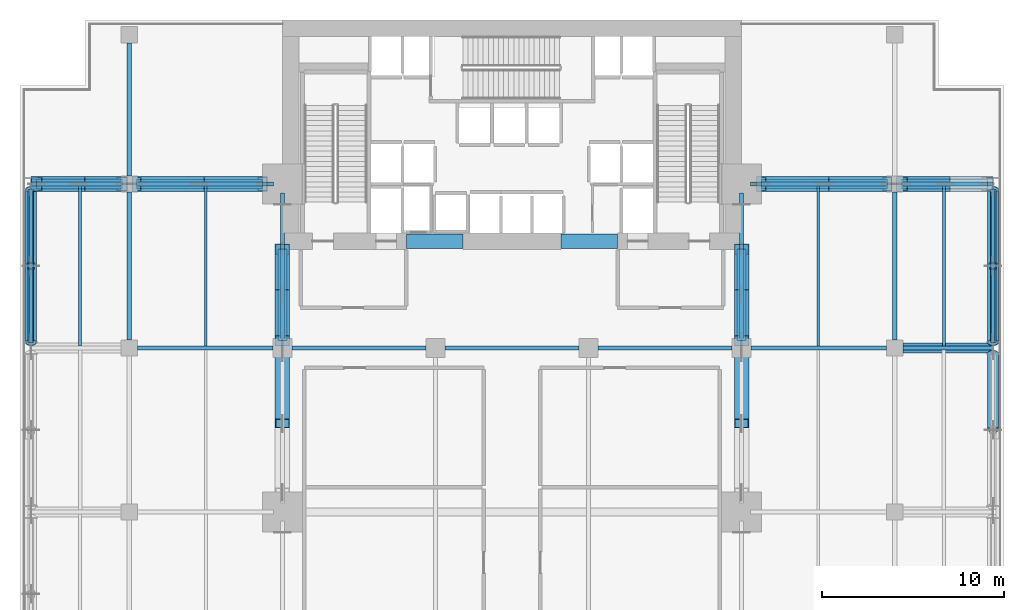
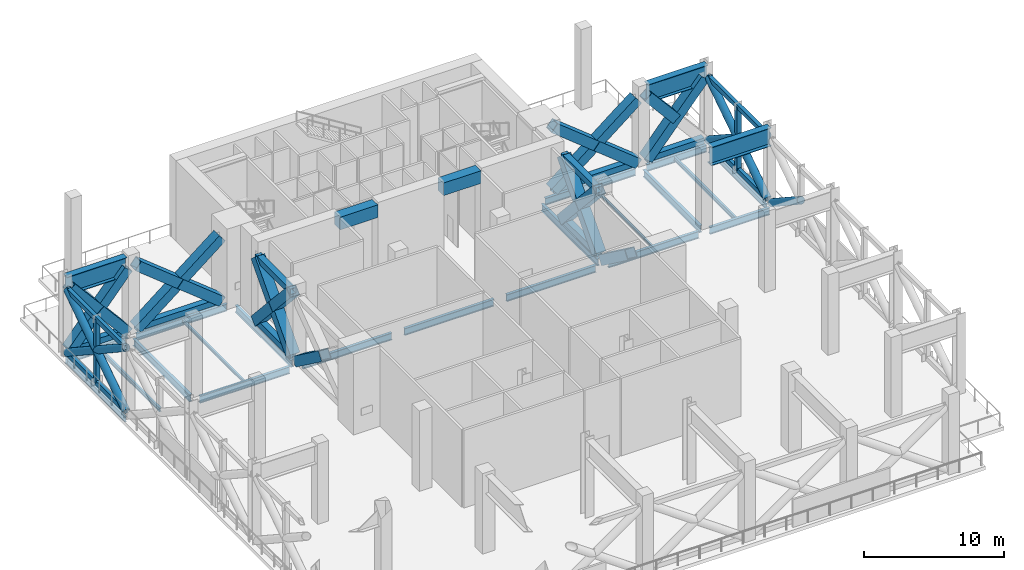
# One storey, part 5 of 16: 40 members, 26 beams.
"""IFC4 building model written with IfcOpenShell, lengths in metres."""

from ifc_helpers import new_model, si_unit, direction, frame, origin, origin_2d, place, context, subcontext, project, spatial, rectangle, hollow_rectangle, hollow_circle, i_section, extrude, material, material_profile, profile_set, type_object, element, save


model = new_model("IFC4")

# Units and contexts
model_context = context("Model", 3, precision=1e-05, world=origin(), true_north=direction((0.0, 1.0)))
body_context = subcontext(model_context, "Body", "Model", "MODEL_VIEW")
ifc_project = project(units=[si_unit("LENGTHUNIT", "METRE"), si_unit("AREAUNIT", "SQUARE_METRE"), si_unit("VOLUMEUNIT", "CUBIC_METRE"), si_unit("PLANEANGLEUNIT", "RADIAN"), si_unit("MASSUNIT", "GRAM", prefix="KILO")], contexts=[model_context])

# Site, building, storey
site_placement = place(None, origin())
site = spatial("IfcSite", under=ifc_project, at=site_placement, CompositionType="ELEMENT")
building_placement = place(site_placement, origin())
building = spatial("IfcBuilding", under=site, at=building_placement, Name="Maruvema Waterfront Hotel and Observation Tower", CompositionType="ELEMENT")
storey_placement = place(building_placement, frame((0.0, 0.0, 115.5)))
storey = spatial("IfcBuildingStorey", under=building, at=storey_placement, Name="L28", CompositionType="ELEMENT", Elevation=115.5)

# Beams
ifc_material_1 = material(Name="Concrete C60/75", Category="concrete")
ifc_material_profile_1 = material_profile(ifc_material_1, rectangle(XDim=0.800048828125, YDim=1.10009765625, at=origin_2d()), Name="CB800x1100")
ifc_profile_set_1 = profile_set([ifc_material_profile_1], Name="Concrete C60/75")
beam_type_1 = type_object("IfcBeamType", Name="Core Coupling Lintel Beam CB800x1100", PredefinedType="LINTEL", material=ifc_profile_set_1)
for number, where, z_axis, x_axis, name in (
    (1, (32.0, 41.85009765625, 6.2099609375), (1.0, 0.0, 0.0), (0.0, 1.0, 0.0), "L28 Core Coupling Lintel Beam West"),
    (2, (40.5, 41.85009765625, 6.2099609375), (1.0, 0.0, 0.0), (0.0, 1.0, 0.0), "L28 Core Coupling Lintel Beam East"),
):
    element("IfcBeam", number, at=place(storey_placement, frame(where, z_axis=z_axis, x_axis=x_axis)), inside=storey, type_object=beam_type_1, Name=name, PredefinedType="LINTEL", context=body_context, shape_type="SweptSolid", body=[
        extrude(rectangle(XDim=0.800048828125, YDim=1.10009765625, at=origin_2d()), origin(), (0.0, 0.0, 1.0), 3.10009765625),
    ])

# Members
ifc_material_2 = material(Name="Steel ABNT NBR 7007 AR 415 (ASTM A572 Grade 50)", Category="steel")
ifc_material_profile_2 = material_profile(ifc_material_2, hollow_rectangle(XDim=0.5, YDim=0.5, WallThickness=0.028076171875, at=origin_2d()), Name="SHS500x500x28.0")
ifc_profile_set_2 = profile_set([ifc_material_profile_2], Name="Steel ABNT NBR 7007 AR 415 (ASTM A572 Grade 50)")
member_type_1 = type_object("IfcMemberType", Name="Outrigger Truss Chord SHS500x500x28.0", PredefinedType="CHORD", material=ifc_profile_set_2)
for number, where, z_axis, x_axis, name in (
    (3, (25.199951171875, 36.39990234375, 0.25), (0.0, 1.0, 0.0), (-1.0, 0.0, 0.0), "L28 Outrigger Truss Bottom Chord W2"),
    (4, (25.199951171875, 36.39990234375, 5.780029296875), (0.0, 1.0, 0.0), (-1.0, 0.0, 0.0), "L28 Outrigger Truss Top Chord W2"),
    (5, (50.39990234375, 36.39990234375, 0.25), (0.0, 1.0, 0.0), (-1.0, 0.0, 0.0), "L28 Outrigger Truss Bottom Chord E2"),
    (6, (50.39990234375, 36.39990234375, 5.780029296875), (0.0, 1.0, 0.0), (-1.0, 0.0, 0.0), "L28 Outrigger Truss Top Chord E2"),
):
    element("IfcMember", number, at=place(storey_placement, frame(where, z_axis=z_axis, x_axis=x_axis)), inside=storey, type_object=member_type_1, Name=name, PredefinedType="CHORD", context=body_context, shape_type="SweptSolid", body=[
        extrude(hollow_rectangle(XDim=0.5, YDim=0.5, WallThickness=0.028076171875, at=origin_2d()), origin(), (0.0, 0.0, 1.0), 5.02001953125),
    ])
member_1_placement = place(storey_placement, frame((11.699951171875, 45.0, 0.25), z_axis=(1.0, 0.0, 0.0), x_axis=(0.0, 1.0, 0.0)))
element("IfcMember", 7, at=member_1_placement, inside=storey, type_object=member_type_1, Name="L28 Outrigger Wing Bottom Chord W1", PredefinedType="CHORD", context=body_context, shape_type="SweptSolid", body=[
    extrude(hollow_rectangle(XDim=0.5, YDim=0.5, WallThickness=0.028076171875, at=origin_2d()), origin(), (0.0, 0.0, 1.0), 4.699951171875),
])
member_2_placement = place(storey_placement, frame((17.199951171875, 45.0, 0.25), z_axis=(1.0, 0.0, 0.0), x_axis=(0.0, 1.0, 0.0)))
element("IfcMember", 8, at=member_2_placement, inside=storey, type_object=member_type_1, Name="L28 Outrigger Wing Bottom Chord W2", PredefinedType="CHORD", context=body_context, shape_type="SweptSolid", body=[
    extrude(hollow_rectangle(XDim=0.5, YDim=0.5, WallThickness=0.028076171875, at=origin_2d()), origin(), (0.0, 0.0, 1.0), 6.920166015625),
])
member_3_placement = place(storey_placement, frame((51.47998046875, 45.0, 0.25), z_axis=(1.0, 0.0, 0.0), x_axis=(0.0, 1.0, 0.0)))
element("IfcMember", 9, at=member_3_placement, inside=storey, type_object=member_type_1, Name="L28 Outrigger Wing Bottom Chord E1", PredefinedType="CHORD", context=body_context, shape_type="SweptSolid", body=[
    extrude(hollow_rectangle(XDim=0.5, YDim=0.5, WallThickness=0.028076171875, at=origin_2d()), origin(), (0.0, 0.0, 1.0), 6.919921875),
])
member_4_placement = place(storey_placement, frame((59.199951171875, 45.0, 0.25), z_axis=(1.0, 0.0, 0.0), x_axis=(0.0, 1.0, 0.0)))
element("IfcMember", 10, at=member_4_placement, inside=storey, type_object=member_type_1, Name="L28 Outrigger Wing Bottom Chord E2", PredefinedType="CHORD", context=body_context, shape_type="SweptSolid", body=[
    extrude(hollow_rectangle(XDim=0.5, YDim=0.5, WallThickness=0.028076171875, at=origin_2d()), origin(), (0.0, 0.0, 1.0), 4.699951171875),
])
ifc_material_3 = material(Name="Steel ABNT NBR 7007 AR 415 (ASTM A572 Grade 50)", Category="steel")
ifc_material_profile_3 = material_profile(ifc_material_3, hollow_rectangle(XDim=0.800048828125, YDim=0.800048828125, WallThickness=0.044921875, at=origin_2d()), Name="SHS800x800x45.0")
ifc_profile_set_3 = profile_set([ifc_material_profile_3], Name="Steel ABNT NBR 7007 AR 415 (ASTM A572 Grade 50)")
member_type_2 = type_object("IfcMemberType", Name="Outrigger Truss Diagonal SHS800x800x45.0", PredefinedType="BRACE", material=ifc_profile_set_3)
member_5_placement = place(storey_placement, frame((25.199951171875, 35.60009765625, 0.25), z_axis=(0.0, -0.805619301905, 0.592433574671), x_axis=(1.0, 0.0, 0.0)))
element("IfcMember", 11, at=member_5_placement, inside=storey, type_object=member_type_2, Name="L28 Outrigger Truss Diagonal W1 Split Lower B1", PredefinedType="BRACE", context=body_context, shape_type="SweptSolid", body=[
    extrude(hollow_rectangle(XDim=0.800048828125, YDim=0.800048828125, WallThickness=0.044921875, at=origin_2d()), origin(), (0.0, 0.0, 1.0), 4.647216796875),
])
member_6_placement = place(storey_placement, frame((25.199951171875, 36.39990234375, 0.25), z_axis=(0.0, 0.672138954972, 0.740425030107), x_axis=(-1.0, 0.0, 0.0)))
element("IfcMember", 12, at=member_6_placement, inside=storey, type_object=member_type_2, Name="L28 Outrigger Truss Diagonal W2 Continuous A", PredefinedType="BRACE", context=body_context, shape_type="SweptSolid", body=[
    extrude(hollow_rectangle(XDim=0.800048828125, YDim=0.800048828125, WallThickness=0.044921875, at=origin_2d()), origin(), (0.0, 0.0, 1.0), 7.46875),
])
for number, where, z_axis, x_axis, name in (
    (13, (25.199951171875, 41.419921875, 0.25), (0.0, -0.672136085093, 0.7404276353), (1.0, 0.0, 0.0), "L28 Outrigger Truss Diagonal W2 Split Lower B1"),
    (14, (25.199951171875, 38.896484375, 3.02978515625), (0.0, -0.672136085093, 0.7404276353), (1.0, 0.0, 0.0), "L28 Outrigger Truss Diagonal W2 Split Upper B2"),
):
    element("IfcMember", number, at=place(storey_placement, frame(where, z_axis=z_axis, x_axis=x_axis)), inside=storey, type_object=member_type_2, Name=name, PredefinedType="BRACE", context=body_context, shape_type="SweptSolid", body=[
        extrude(hollow_rectangle(XDim=0.800048828125, YDim=0.800048828125, WallThickness=0.044921875, at=origin_2d()), origin(), (0.0, 0.0, 1.0), 3.71435546875),
    ])
member_7_placement = place(storey_placement, frame((50.39990234375, 35.60009765625, 0.25), z_axis=(0.0, -0.805619301905, 0.592433574671), x_axis=(1.0, 0.0, 0.0)))
element("IfcMember", 15, at=member_7_placement, inside=storey, type_object=member_type_2, Name="L28 Outrigger Truss Diagonal E1 Split Lower B1", PredefinedType="BRACE", context=body_context, shape_type="SweptSolid", body=[
    extrude(hollow_rectangle(XDim=0.800048828125, YDim=0.800048828125, WallThickness=0.044921875, at=origin_2d()), origin(), (0.0, 0.0, 1.0), 4.647216796875),
])
member_8_placement = place(storey_placement, frame((50.39990234375, 36.39990234375, 0.25), z_axis=(0.0, 0.672138954972, 0.740425030107), x_axis=(-1.0, 0.0, 0.0)))
element("IfcMember", 16, at=member_8_placement, inside=storey, type_object=member_type_2, Name="L28 Outrigger Truss Diagonal E2 Continuous A", PredefinedType="BRACE", context=body_context, shape_type="SweptSolid", body=[
    extrude(hollow_rectangle(XDim=0.800048828125, YDim=0.800048828125, WallThickness=0.044921875, at=origin_2d()), origin(), (0.0, 0.0, 1.0), 7.46875),
])
for number, where, z_axis, x_axis, name in (
    (17, (50.39990234375, 41.419921875, 0.25), (0.0, -0.672136085093, 0.7404276353), (1.0, 0.0, 0.0), "L28 Outrigger Truss Diagonal E2 Split Lower B1"),
    (18, (50.39990234375, 38.896484375, 3.02978515625), (0.0, -0.672136085093, 0.7404276353), (1.0, 0.0, 0.0), "L28 Outrigger Truss Diagonal E2 Split Upper B2"),
):
    element("IfcMember", number, at=place(storey_placement, frame(where, z_axis=z_axis, x_axis=x_axis)), inside=storey, type_object=member_type_2, Name=name, PredefinedType="BRACE", context=body_context, shape_type="SweptSolid", body=[
        extrude(hollow_rectangle(XDim=0.800048828125, YDim=0.800048828125, WallThickness=0.044921875, at=origin_2d()), origin(), (0.0, 0.0, 1.0), 3.71435546875),
    ])
member_9_placement = place(storey_placement, frame((11.699951171875, 45.0, 0.25), z_axis=(0.64760252408, 0.0, 0.761978326992), x_axis=(0.0, 1.0, 0.0)))
element("IfcMember", 19, at=member_9_placement, inside=storey, type_object=member_type_2, Name="L28 Outrigger Wing Diagonal W1 Continuous A", PredefinedType="BRACE", context=body_context, shape_type="SweptSolid", body=[
    extrude(hollow_rectangle(XDim=0.800048828125, YDim=0.800048828125, WallThickness=0.044921875, at=origin_2d()), origin(), (0.0, 0.0, 1.0), 7.257568359375),
])
member_10_placement = place(storey_placement, frame((16.39990234375, 45.0, 0.25), z_axis=(-0.647587538923, 0.0, 0.761991062567), x_axis=(0.0, -1.0, 0.0)))
element("IfcMember", 20, at=member_10_placement, inside=storey, type_object=member_type_2, Name="L28 Outrigger Wing Diagonal W1 Split Lower B1", PredefinedType="BRACE", context=body_context, shape_type="SweptSolid", body=[
    extrude(hollow_rectangle(XDim=0.800048828125, YDim=0.800048828125, WallThickness=0.044921875, at=origin_2d()), origin(), (0.0, 0.0, 1.0), 3.608642578125),
])
member_11_placement = place(storey_placement, frame((14.037109375, 45.0, 3.0302734375), z_axis=(-0.647626818519, 0.0, 0.761957678572), x_axis=(0.0, -1.0, 0.0)))
element("IfcMember", 21, at=member_11_placement, inside=storey, type_object=member_type_2, Name="L28 Outrigger Wing Diagonal W1 Split Upper B2", PredefinedType="BRACE", context=body_context, shape_type="SweptSolid", body=[
    extrude(hollow_rectangle(XDim=0.800048828125, YDim=0.800048828125, WallThickness=0.044921875, at=origin_2d()), origin(), (0.0, 0.0, 1.0), 3.60888671875),
])
member_12_placement = place(storey_placement, frame((17.199951171875, 45.0, 0.25), z_axis=(0.781204801125, 0.0, 0.624274826258), x_axis=(0.0, 1.0, 0.0)))
element("IfcMember", 22, at=member_12_placement, inside=storey, type_object=member_type_2, Name="L28 Outrigger Wing Diagonal W2 Continuous A", PredefinedType="BRACE", context=body_context, shape_type="SweptSolid", body=[
    extrude(hollow_rectangle(XDim=0.800048828125, YDim=0.800048828125, WallThickness=0.044921875, at=origin_2d()), origin(), (0.0, 0.0, 1.0), 8.8583984375),
])
member_13_placement = place(storey_placement, frame((24.1201171875, 45.0, 0.25), z_axis=(-0.781225215557, 0.0, 0.624249279197), x_axis=(0.0, -1.0, 0.0)))
element("IfcMember", 23, at=member_13_placement, inside=storey, type_object=member_type_2, Name="L28 Outrigger Wing Diagonal W2 Split Lower B1", PredefinedType="BRACE", context=body_context, shape_type="SweptSolid", body=[
    extrude(hollow_rectangle(XDim=0.800048828125, YDim=0.800048828125, WallThickness=0.044921875, at=origin_2d()), origin(), (0.0, 0.0, 1.0), 4.4091796875),
])
member_14_placement = place(storey_placement, frame((20.644287109375, 45.0, 3.027587890625), z_axis=(-0.781203636906, 0.0, 0.624276283135), x_axis=(0.0, -1.0, 0.0)))
element("IfcMember", 24, at=member_14_placement, inside=storey, type_object=member_type_2, Name="L28 Outrigger Wing Diagonal W2 Split Upper B2", PredefinedType="BRACE", context=body_context, shape_type="SweptSolid", body=[
    extrude(hollow_rectangle(XDim=0.800048828125, YDim=0.800048828125, WallThickness=0.044921875, at=origin_2d()), origin(), (0.0, 0.0, 1.0), 4.408935546875),
])
member_15_placement = place(storey_placement, frame((51.47998046875, 45.0, 0.25), z_axis=(0.781194059893, 0.0, 0.62428826738), x_axis=(0.0, 1.0, 0.0)))
element("IfcMember", 25, at=member_15_placement, inside=storey, type_object=member_type_2, Name="L28 Outrigger Wing Diagonal E1 Continuous A", PredefinedType="BRACE", context=body_context, shape_type="SweptSolid", body=[
    extrude(hollow_rectangle(XDim=0.800048828125, YDim=0.800048828125, WallThickness=0.044921875, at=origin_2d()), origin(), (0.0, 0.0, 1.0), 8.858154296875),
])
for number, where, z_axis, x_axis, name in (
    (26, (58.39990234375, 45.0, 0.25), (-0.781203636906, 0.0, 0.624276283135), (0.0, -1.0, 0.0), "L28 Outrigger Wing Diagonal E1 Split Lower B1"),
    (27, (54.92431640625, 45.0, 3.027587890625), (-0.781203636906, 0.0, 0.624276283135), (0.0, -1.0, 0.0), "L28 Outrigger Wing Diagonal E1 Split Upper B2"),
):
    element("IfcMember", number, at=place(storey_placement, frame(where, z_axis=z_axis, x_axis=x_axis)), inside=storey, type_object=member_type_2, Name=name, PredefinedType="BRACE", context=body_context, shape_type="SweptSolid", body=[
        extrude(hollow_rectangle(XDim=0.800048828125, YDim=0.800048828125, WallThickness=0.044921875, at=origin_2d()), origin(), (0.0, 0.0, 1.0), 4.408935546875),
    ])
member_16_placement = place(storey_placement, frame((59.199951171875, 45.0, 0.25), z_axis=(0.64760252408, 0.0, 0.761978326992), x_axis=(0.0, 1.0, 0.0)))
element("IfcMember", 28, at=member_16_placement, inside=storey, type_object=member_type_2, Name="L28 Outrigger Wing Diagonal E2 Continuous A", PredefinedType="BRACE", context=body_context, shape_type="SweptSolid", body=[
    extrude(hollow_rectangle(XDim=0.800048828125, YDim=0.800048828125, WallThickness=0.044921875, at=origin_2d()), origin(), (0.0, 0.0, 1.0), 7.257568359375),
])
member_17_placement = place(storey_placement, frame((61.537109375, 45.0, 3.0302734375), z_axis=(-0.647626818519, 0.0, 0.761957678572), x_axis=(0.0, -1.0, 0.0)))
element("IfcMember", 29, at=member_17_placement, inside=storey, type_object=member_type_2, Name="L28 Outrigger Wing Diagonal E2 Split Upper B2", PredefinedType="BRACE", context=body_context, shape_type="SweptSolid", body=[
    extrude(hollow_rectangle(XDim=0.800048828125, YDim=0.800048828125, WallThickness=0.044921875, at=origin_2d()), origin(), (0.0, 0.0, 1.0), 3.60888671875),
])
ifc_material_4 = material(Name="Steel ABNT NBR 7007 AR 415 (ASTM A572 Grade 50)", Category="steel")
ifc_material_profile_4 = material_profile(ifc_material_4, hollow_rectangle(XDim=0.300048828125, YDim=0.39990234375, WallThickness=0.02001953125, at=origin_2d()), Name="RHS400x300x20.0")
ifc_profile_set_4 = profile_set([ifc_material_profile_4], Name="Steel ABNT NBR 7007 AR 415 (ASTM A572 Grade 50)")
member_type_3 = type_object("IfcMemberType", Name="Perimeter Belt Truss Chord RHS400x300x20.0", PredefinedType="CHORD", material=ifc_profile_set_4)
for number, where, z_axis, x_axis, name in (
    (30, (11.39990234375, 36.300048828125, 0.25), (0.0, 1.0, 0.0), (-1.0, 0.0, 0.0), "L28 Perimeter Belt Truss Chord W4"),
    (31, (11.39990234375, 36.300048828125, 5.780029296875), (0.0, 1.0, 0.0), (-1.0, 0.0, 0.0), "L28 Perimeter Belt Truss Top Chord W4"),
    (32, (64.199951171875, 36.300048828125, 0.25), (0.0, 1.0, 0.0), (-1.0, 0.0, 0.0), "L28 Perimeter Belt Truss Chord E8"),
    (33, (64.199951171875, 36.300048828125, 5.780029296875), (0.0, 1.0, 0.0), (-1.0, 0.0, 0.0), "L28 Perimeter Belt Truss Top Chord E8"),
):
    element("IfcMember", number, at=place(storey_placement, frame(where, z_axis=z_axis, x_axis=x_axis)), inside=storey, type_object=member_type_3, Name=name, PredefinedType="CHORD", context=body_context, shape_type="SweptSolid", body=[
        extrude(hollow_rectangle(XDim=0.300048828125, YDim=0.39990234375, WallThickness=0.02001953125, at=origin_2d()), origin(), (0.0, 0.0, 1.0), 8.39990234375),
    ])
ifc_material_5 = material(Name="Steel ABNT NBR 7007 AR 350 (ASTM A572 Grade 50)", Category="steel")
ifc_material_profile_5 = material_profile(ifc_material_5, hollow_circle(Radius=0.304931640625, WallThickness=0.02490234375, at=origin_2d()), Name="CHS610.0x25.0")
ifc_profile_set_5 = profile_set([ifc_material_profile_5], Name="Steel ABNT NBR 7007 AR 350 (ASTM A572 Grade 50)")
member_type_4 = type_object("IfcMemberType", Name="Perimeter Belt Truss Diagonal CHS610.0x25.0", PredefinedType="BRACE", material=ifc_profile_set_5)
member_18_placement = place(storey_placement, frame((11.39990234375, 36.300048828125, 0.25), z_axis=(0.0, 0.835244562072, 0.549878642547), x_axis=(-1.0, 0.0, 0.0)))
element("IfcMember", 34, at=member_18_placement, inside=storey, type_object=member_type_4, Name="L28 Perimeter Belt Truss Diagonal W4 Continuous A", PredefinedType="BRACE", context=body_context, shape_type="SweptSolid", body=[
    extrude(hollow_circle(Radius=0.304931640625, WallThickness=0.02490234375, at=origin_2d()), origin(), (0.0, 0.0, 1.0), 10.056884765625),
])
for number, where, z_axis, x_axis, name in (
    (35, (11.39990234375, 44.699951171875, 0.25), (0.0, -0.835260962729, 0.549853729769), (1.0, 0.0, 0.0), "L28 Perimeter Belt Truss Diagonal W4 Split Lower B1"),
    (36, (11.39990234375, 40.4833984375, 3.02587890625), (0.0, -0.835238575042, 0.549887736507), (1.0, 0.0, 0.0), "L28 Perimeter Belt Truss Diagonal W4 Split Upper B2"),
    (37, (64.199951171875, 35.699951171875, 0.25), (0.0, -0.835260962729, 0.549853729769), (1.0, 0.0, 0.0), "L28 Perimeter Belt Truss Diagonal E7 Split Lower B1"),
):
    element("IfcMember", number, at=place(storey_placement, frame(where, z_axis=z_axis, x_axis=x_axis)), inside=storey, type_object=member_type_4, Name=name, PredefinedType="BRACE", context=body_context, shape_type="SweptSolid", body=[
        extrude(hollow_circle(Radius=0.304931640625, WallThickness=0.02490234375, at=origin_2d()), origin(), (0.0, 0.0, 1.0), 5.008544921875),
    ])
member_19_placement = place(storey_placement, frame((64.199951171875, 36.300048828125, 0.25), z_axis=(0.0, 0.835244562072, 0.549878642547), x_axis=(-1.0, 0.0, 0.0)))
element("IfcMember", 38, at=member_19_placement, inside=storey, type_object=member_type_4, Name="L28 Perimeter Belt Truss Diagonal E8 Continuous A", PredefinedType="BRACE", context=body_context, shape_type="SweptSolid", body=[
    extrude(hollow_circle(Radius=0.304931640625, WallThickness=0.02490234375, at=origin_2d()), origin(), (0.0, 0.0, 1.0), 10.056884765625),
])
for number, where, z_axis, x_axis, name in (
    (39, (64.199951171875, 44.699951171875, 0.25), (0.0, -0.835260962729, 0.549853729769), (1.0, 0.0, 0.0), "L28 Perimeter Belt Truss Diagonal E8 Split Lower B1"),
    (40, (64.199951171875, 40.4833984375, 3.02587890625), (0.0, -0.835238575042, 0.549887736507), (1.0, 0.0, 0.0), "L28 Perimeter Belt Truss Diagonal E8 Split Upper B2"),
):
    element("IfcMember", number, at=place(storey_placement, frame(where, z_axis=z_axis, x_axis=x_axis)), inside=storey, type_object=member_type_4, Name=name, PredefinedType="BRACE", context=body_context, shape_type="SweptSolid", body=[
        extrude(hollow_circle(Radius=0.304931640625, WallThickness=0.02490234375, at=origin_2d()), origin(), (0.0, 0.0, 1.0), 5.008544921875),
    ])
ifc_material_6 = material(Name="Steel ABNT NBR 7007 AR 415 (ASTM A572 Grade 50)", Category="steel")
ifc_material_profile_6 = material_profile(ifc_material_6, hollow_rectangle(XDim=0.35009765625, YDim=0.35009765625, WallThickness=0.02001953125, at=origin_2d()), Name="SHS350x350x20.0")
ifc_profile_set_6 = profile_set([ifc_material_profile_6], Name="Steel ABNT NBR 7007 AR 415 (ASTM A572 Grade 50)")
member_type_5 = type_object("IfcMemberType", Name="Perimeter Belt Truss Post SHS350x350x20.0", PredefinedType="POST", material=ifc_profile_set_6)
for number, where, z_axis, x_axis, name in (
    (41, (11.39990234375, 40.5, 0.25), (0.0, 0.0, 1.0), (1.0, 0.0, 0.0), "L28 Perimeter Belt Truss Post W4"),
    (42, (64.199951171875, 40.5, 0.25), (0.0, 0.0, 1.0), (1.0, 0.0, 0.0), "L28 Perimeter Belt Truss Post E8"),
):
    element("IfcMember", number, at=place(storey_placement, frame(where, z_axis=z_axis, x_axis=x_axis)), inside=storey, type_object=member_type_5, Name=name, PredefinedType="POST", context=body_context, shape_type="SweptSolid", body=[
        extrude(hollow_rectangle(XDim=0.35009765625, YDim=0.35009765625, WallThickness=0.02001953125, at=origin_2d()), origin(), (0.0, 0.0, 1.0), 5.530029296875),
    ])

# Beams
ifc_material_7 = material(Name="Steel ASTM A572 Grade 50", Category="steel")
ifc_material_profile_7 = material_profile(ifc_material_7, i_section(OverallWidth=0.153076171875, OverallDepth=0.455078125, WebThickness=0.008056640625, FlangeThickness=0.01318359375, FilletRadius=0.014892578125, at=origin_2d()), Name="W460x60.0")
ifc_profile_set_7 = profile_set([ifc_material_profile_7], Name="Steel ASTM A572 Grade 50")
beam_type_2 = type_object("IfcBeamType", Name="Perimeter Spandrel Beam W460x60.0", PredefinedType="SPANDREL", material=ifc_profile_set_7)
for number, where, z_axis, x_axis, name in (
    (43, (11.39990234375, 36.35009765625, -0.527587890625), (0.0, 1.0, 0.0), (-1.0, 0.0, 0.0), "L28 Floor Girder NS-04"),
    (44, (64.199951171875, 36.35009765625, -0.527587890625), (0.0, 1.0, 0.0), (-1.0, 0.0, 0.0), "L28 Floor Girder NS-36"),
):
    element("IfcBeam", number, at=place(storey_placement, frame(where, z_axis=z_axis, x_axis=x_axis)), inside=storey, type_object=beam_type_2, Name=name, PredefinedType="SPANDREL", context=body_context, shape_type="SweptSolid", body=[
        extrude(i_section(OverallWidth=0.153076171875, OverallDepth=0.455078125, WebThickness=0.008056640625, FlangeThickness=0.01318359375, FilletRadius=0.014892578125, at=origin_2d()), origin(), (0.0, 0.0, 1.0), 8.2998046875),
    ])
ifc_material_8 = material(Name="Steel ASTM A572 Grade 50", Category="steel")
ifc_material_profile_8 = material_profile(ifc_material_8, i_section(OverallWidth=0.22900390625, OverallDepth=0.612060546875, WebThickness=0.011962890625, FlangeThickness=0.01953125, FilletRadius=0.01806640625, at=origin_2d()), Name="W610x125.0")
ifc_profile_set_8 = profile_set([ifc_material_profile_8], Name="Steel ASTM A572 Grade 50")
beam_type_3 = type_object("IfcBeamType", Name="Primary Floor Girder W610x125.0", PredefinedType="BEAM", material=ifc_profile_set_8)
beam_1_placement = place(storey_placement, frame((17.25, 36.0, -0.60595703125), z_axis=(1.0, 0.0, 0.0), x_axis=(0.0, 1.0, 0.0)))
element("IfcBeam", 45, at=beam_1_placement, inside=storey, type_object=beam_type_3, Name="L28 Floor Girder EW-26", PredefinedType="BEAM", context=body_context, shape_type="SweptSolid", body=[
    extrude(i_section(OverallWidth=0.22900390625, OverallDepth=0.612060546875, WebThickness=0.011962890625, FlangeThickness=0.01953125, FilletRadius=0.01806640625, at=origin_2d()), origin(), (0.0, 0.0, 1.0), 7.425048828125),
])
beam_2_placement = place(storey_placement, frame((25.72509765625, 36.0, -0.60595703125), z_axis=(1.0, 0.0, 0.0), x_axis=(0.0, 1.0, 0.0)))
element("IfcBeam", 46, at=beam_2_placement, inside=storey, type_object=beam_type_3, Name="L28 Floor Girder EW-27", PredefinedType="BEAM", context=body_context, shape_type="SweptSolid", body=[
    extrude(i_section(OverallWidth=0.22900390625, OverallDepth=0.612060546875, WebThickness=0.011962890625, FlangeThickness=0.01953125, FilletRadius=0.01806640625, at=origin_2d()), origin(), (0.0, 0.0, 1.0), 7.349853515625),
])
for number, where, z_axis, x_axis, name in (
    (47, (34.125, 36.0, -0.60595703125), (1.0, 0.0, 0.0), (0.0, 1.0, 0.0), "L28 Floor Girder EW-28"),
    (48, (42.52490234375, 36.0, -0.60595703125), (1.0, 0.0, 0.0), (0.0, 1.0, 0.0), "L28 Floor Girder EW-29"),
):
    element("IfcBeam", number, at=place(storey_placement, frame(where, z_axis=z_axis, x_axis=x_axis)), inside=storey, type_object=beam_type_3, Name=name, PredefinedType="BEAM", context=body_context, shape_type="SweptSolid", body=[
        extrude(i_section(OverallWidth=0.22900390625, OverallDepth=0.612060546875, WebThickness=0.011962890625, FlangeThickness=0.01953125, FilletRadius=0.01806640625, at=origin_2d()), origin(), (0.0, 0.0, 1.0), 7.35009765625),
    ])
beam_3_placement = place(storey_placement, frame((50.925048828125, 36.0, -0.60595703125), z_axis=(1.0, 0.0, 0.0), x_axis=(0.0, 1.0, 0.0)))
element("IfcBeam", 49, at=beam_3_placement, inside=storey, type_object=beam_type_3, Name="L28 Floor Girder EW-30", PredefinedType="BEAM", context=body_context, shape_type="SweptSolid", body=[
    extrude(i_section(OverallWidth=0.22900390625, OverallDepth=0.612060546875, WebThickness=0.011962890625, FlangeThickness=0.01953125, FilletRadius=0.01806640625, at=origin_2d()), origin(), (0.0, 0.0, 1.0), 7.425048828125),
])
for number, where, z_axis, x_axis, name in (
    (50, (59.25, 36.0, -0.60595703125), (1.0, 0.0, 0.0), (0.0, 1.0, 0.0), "L28 Floor Girder EW-31"),
    (51, (11.4140625, 45.0, -0.60595703125), (1.0, 0.0, 0.0), (0.0, 1.0, 0.0), "L28 Floor Girder EW-32"),
):
    element("IfcBeam", number, at=place(storey_placement, frame(where, z_axis=z_axis, x_axis=x_axis)), inside=storey, type_object=beam_type_3, Name=name, PredefinedType="BEAM", context=body_context, shape_type="SweptSolid", body=[
        extrude(i_section(OverallWidth=0.22900390625, OverallDepth=0.612060546875, WebThickness=0.011962890625, FlangeThickness=0.01953125, FilletRadius=0.01806640625, at=origin_2d()), origin(), (0.0, 0.0, 1.0), 4.93603515625),
    ])
beam_4_placement = place(storey_placement, frame((17.25, 45.0, -0.60595703125), z_axis=(1.0, 0.0, 0.0), x_axis=(0.0, 1.0, 0.0)))
element("IfcBeam", 52, at=beam_4_placement, inside=storey, type_object=beam_type_3, Name="L28 Floor Girder EW-33", PredefinedType="BEAM", context=body_context, shape_type="SweptSolid", body=[
    extrude(i_section(OverallWidth=0.22900390625, OverallDepth=0.612060546875, WebThickness=0.011962890625, FlangeThickness=0.01953125, FilletRadius=0.01806640625, at=origin_2d()), origin(), (0.0, 0.0, 1.0), 7.449951171875),
])
beam_5_placement = place(storey_placement, frame((50.89990234375, 45.0, -0.60595703125), z_axis=(1.0, 0.0, 0.0), x_axis=(0.0, 1.0, 0.0)))
element("IfcBeam", 53, at=beam_5_placement, inside=storey, type_object=beam_type_3, Name="L28 Floor Girder EW-34", PredefinedType="BEAM", context=body_context, shape_type="SweptSolid", body=[
    extrude(i_section(OverallWidth=0.22900390625, OverallDepth=0.612060546875, WebThickness=0.011962890625, FlangeThickness=0.01953125, FilletRadius=0.01806640625, at=origin_2d()), origin(), (0.0, 0.0, 1.0), 7.4501953125),
])
beam_6_placement = place(storey_placement, frame((59.25, 45.0, -0.60595703125), z_axis=(1.0, 0.0, 0.0), x_axis=(0.0, 1.0, 0.0)))
element("IfcBeam", 54, at=beam_6_placement, inside=storey, type_object=beam_type_3, Name="L28 Floor Girder EW-35", PredefinedType="BEAM", context=body_context, shape_type="SweptSolid", body=[
    extrude(i_section(OverallWidth=0.22900390625, OverallDepth=0.612060546875, WebThickness=0.011962890625, FlangeThickness=0.01953125, FilletRadius=0.01806640625, at=origin_2d()), origin(), (0.0, 0.0, 1.0), 4.93603515625),
])
beam_7_placement = place(storey_placement, frame((16.800048828125, 36.449951171875, -0.60595703125), z_axis=(0.0, 1.0, 0.0), x_axis=(-1.0, 0.0, 0.0)))
element("IfcBeam", 55, at=beam_7_placement, inside=storey, type_object=beam_type_3, Name="L28 Floor Girder NS-09", PredefinedType="BEAM", context=body_context, shape_type="SweptSolid", body=[
    extrude(i_section(OverallWidth=0.22900390625, OverallDepth=0.612060546875, WebThickness=0.011962890625, FlangeThickness=0.01953125, FilletRadius=0.01806640625, at=origin_2d()), origin(), (0.0, 0.0, 1.0), 8.10009765625),
])
beam_8_placement = place(storey_placement, frame((16.800048828125, 45.449951171875, -0.60595703125), z_axis=(0.0, 1.0, 0.0), x_axis=(-1.0, 0.0, 0.0)))
element("IfcBeam", 56, at=beam_8_placement, inside=storey, type_object=beam_type_3, Name="L28 Floor Girder NS-10", PredefinedType="BEAM", context=body_context, shape_type="SweptSolid", body=[
    extrude(i_section(OverallWidth=0.22900390625, OverallDepth=0.612060546875, WebThickness=0.011962890625, FlangeThickness=0.01953125, FilletRadius=0.01806640625, at=origin_2d()), origin(), (0.0, 0.0, 1.0), 7.300048828125),
])
for number, where, z_axis, x_axis, name in (
    (57, (25.199951171875, 36.52490234375, -0.60595703125), (0.0, 1.0, 0.0), (-1.0, 0.0, 0.0), "L28 Floor Girder NS-15"),
    (58, (50.39990234375, 36.52490234375, -0.60595703125), (0.0, 1.0, 0.0), (-1.0, 0.0, 0.0), "L28 Floor Girder NS-26"),
):
    element("IfcBeam", number, at=place(storey_placement, frame(where, z_axis=z_axis, x_axis=x_axis)), inside=storey, type_object=beam_type_3, Name=name, PredefinedType="BEAM", context=body_context, shape_type="SweptSolid", body=[
        extrude(i_section(OverallWidth=0.22900390625, OverallDepth=0.612060546875, WebThickness=0.011962890625, FlangeThickness=0.01953125, FilletRadius=0.01806640625, at=origin_2d()), origin(), (0.0, 0.0, 1.0), 7.97509765625),
    ])
beam_9_placement = place(storey_placement, frame((58.800048828125, 36.449951171875, -0.60595703125), z_axis=(0.0, 1.0, 0.0), x_axis=(-1.0, 0.0, 0.0)))
element("IfcBeam", 59, at=beam_9_placement, inside=storey, type_object=beam_type_3, Name="L28 Floor Girder NS-31", PredefinedType="BEAM", context=body_context, shape_type="SweptSolid", body=[
    extrude(i_section(OverallWidth=0.22900390625, OverallDepth=0.612060546875, WebThickness=0.011962890625, FlangeThickness=0.01953125, FilletRadius=0.01806640625, at=origin_2d()), origin(), (0.0, 0.0, 1.0), 8.10009765625),
])
ifc_material_9 = material(Name="Steel ASTM A572 Grade 50", Category="steel")
ifc_material_profile_9 = material_profile(ifc_material_9, i_section(OverallWidth=0.133056640625, OverallDepth=0.20703125, WebThickness=0.005859375, FlangeThickness=0.00830078125, FilletRadius=0.010009765625, at=origin_2d()), Name="W200x26.6")
ifc_profile_set_9 = profile_set([ifc_material_profile_9], Name="Steel ASTM A572 Grade 50")
beam_type_4 = type_object("IfcBeamType", Name="Secondary Floor Joist W200x26.6", PredefinedType="JOIST", material=ifc_profile_set_9)
beam_10_placement = place(storey_placement, frame((54.60009765625, 36.114501953125, -0.403564453125), z_axis=(0.0, 1.0, 0.0), x_axis=(-1.0, 0.0, 0.0)))
element("IfcBeam", 60, at=beam_10_placement, inside=storey, type_object=beam_type_4, Name="L28 Secondary Floor Joist JS-20", PredefinedType="JOIST", context=body_context, shape_type="SweptSolid", body=[
    extrude(i_section(OverallWidth=0.133056640625, OverallDepth=0.20703125, WebThickness=0.005859375, FlangeThickness=0.00830078125, FilletRadius=0.010009765625, at=origin_2d()), origin(), (0.0, 0.0, 1.0), 8.77099609375),
])
ifc_material_10 = material(Name="Steel ASTM A572 Grade 50", Category="steel")
ifc_material_profile_10 = material_profile(ifc_material_10, i_section(OverallWidth=0.14599609375, OverallDepth=0.258056640625, WebThickness=0.006103515625, FlangeThickness=0.009033203125, FilletRadius=0.012939453125, at=origin_2d()), Name="W250x32.7")
ifc_profile_set_10 = profile_set([ifc_material_profile_10], Name="Steel ASTM A572 Grade 50")
beam_type_5 = type_object("IfcBeamType", Name="Secondary Floor Joist W250x32.7", PredefinedType="JOIST", material=ifc_profile_set_10)
beam_11_placement = place(storey_placement, frame((21.0, 36.114501953125, -0.428955078125), z_axis=(0.0, 1.0, 0.0), x_axis=(-1.0, 0.0, 0.0)))
element("IfcBeam", 61, at=beam_11_placement, inside=storey, type_object=beam_type_5, Name="L28 Secondary Floor Joist JS-09", PredefinedType="JOIST", context=body_context, shape_type="SweptSolid", body=[
    extrude(i_section(OverallWidth=0.14599609375, OverallDepth=0.258056640625, WebThickness=0.006103515625, FlangeThickness=0.009033203125, FilletRadius=0.012939453125, at=origin_2d()), origin(), (0.0, 0.0, 1.0), 8.77099609375),
])
ifc_material_11 = material(Name="Steel ASTM A572 Grade 50", Category="steel")
ifc_material_profile_11 = material_profile(ifc_material_11, i_section(OverallWidth=0.1708984375, OverallDepth=0.35498046875, WebThickness=0.007080078125, FlangeThickness=0.01171875, FilletRadius=0.014892578125, at=origin_2d()), Name="W360x51.0")
ifc_profile_set_11 = profile_set([ifc_material_profile_11], Name="Steel ASTM A572 Grade 50")
beam_type_6 = type_object("IfcBeamType", Name="Secondary Floor Joist W360x51.0", PredefinedType="JOIST", material=ifc_profile_set_11)
for number, where, z_axis, x_axis, name in (
    (62, (14.10009765625, 36.114501953125, -0.4775390625), (0.0, 1.0, 0.0), (-1.0, 0.0, 0.0), "L28 Secondary Floor Joist JS-04"),
    (63, (61.5, 36.114501953125, -0.4775390625), (0.0, 1.0, 0.0), (-1.0, 0.0, 0.0), "L28 Secondary Floor Joist JS-24"),
):
    element("IfcBeam", number, at=place(storey_placement, frame(where, z_axis=z_axis, x_axis=x_axis)), inside=storey, type_object=beam_type_6, Name=name, PredefinedType="JOIST", context=body_context, shape_type="SweptSolid", body=[
        extrude(i_section(OverallWidth=0.1708984375, OverallDepth=0.35498046875, WebThickness=0.007080078125, FlangeThickness=0.01171875, FilletRadius=0.014892578125, at=origin_2d()), origin(), (0.0, 0.0, 1.0), 8.77099609375),
    ])
ifc_material_12 = material(Name="Steel ABNT NBR 7007 AR 415 (ASTM A572 Grade 50)", Category="steel")
ifc_material_profile_12 = material_profile(ifc_material_12, i_section(OverallWidth=0.550048828125, OverallDepth=1.60009765625, WebThickness=0.02197265625, FlangeThickness=0.0400390625, at=origin_2d()), Name="VS1600x548")
ifc_profile_set_12 = profile_set([ifc_material_profile_12], Name="Steel ABNT NBR 7007 AR 415 (ASTM A572 Grade 50)")
beam_type_7 = type_object("IfcBeamType", Name="Setback Transfer Girder VS1600x548", PredefinedType="USERDEFINED", material=ifc_profile_set_12)
for number, where, z_axis, x_axis, name in (
    (64, (59.25, 36.0, 5.9599609375), (1.0, 0.0, 0.0), (0.0, 1.0, 0.0), "L28 Setback Transfer Girder E Y=36.0m"),
    (65, (11.4140625, 45.0, 5.9599609375), (1.0, 0.0, 0.0), (0.0, 1.0, 0.0), "L28 Setback Transfer Girder W Y=45.0m"),
    (66, (59.25, 45.0, 5.9599609375), (1.0, 0.0, 0.0), (0.0, 1.0, 0.0), "L28 Setback Transfer Girder E Y=45.0m"),
):
    element("IfcBeam", number, at=place(storey_placement, frame(where, z_axis=z_axis, x_axis=x_axis)), inside=storey, type_object=beam_type_7, Name=name, ObjectType="TRANSFER GIRDER", PredefinedType="USERDEFINED", context=body_context, shape_type="SweptSolid", body=[
        extrude(i_section(OverallWidth=0.550048828125, OverallDepth=1.60009765625, WebThickness=0.02197265625, FlangeThickness=0.0400390625, at=origin_2d()), origin(), (0.0, 0.0, 1.0), 4.93603515625),
    ])

save(model, "model.ifc")
